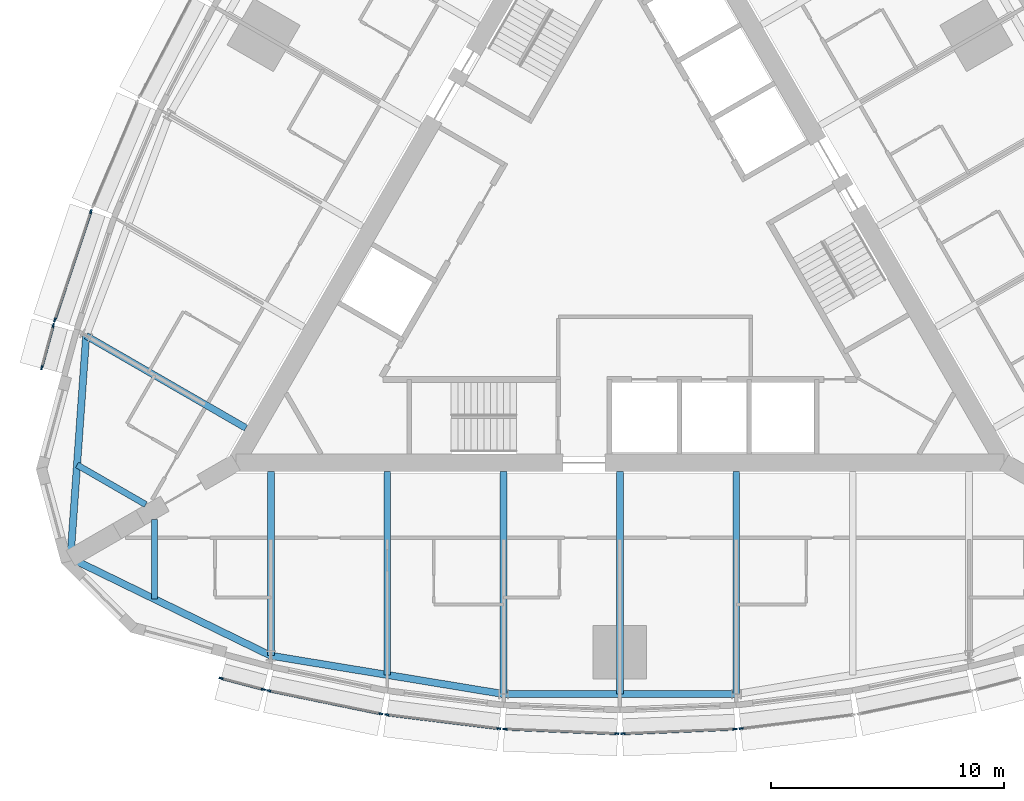
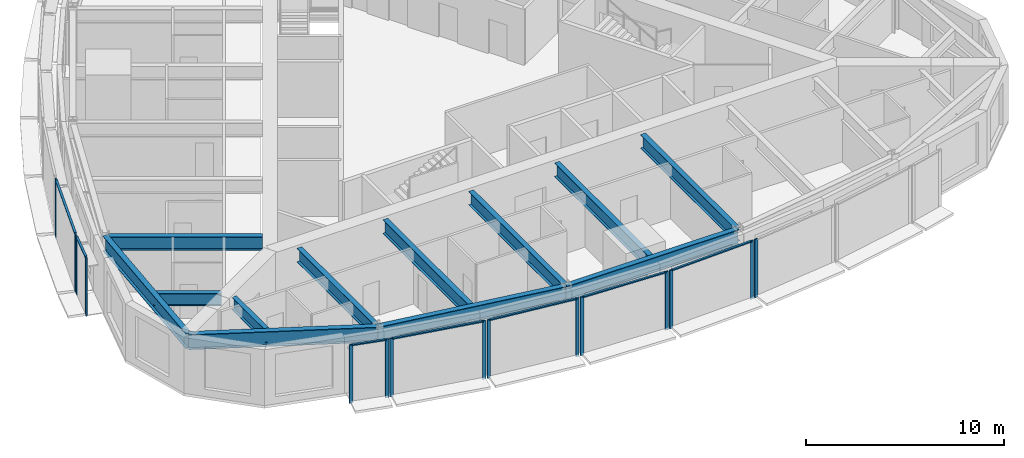
# One storey, part 2 of 15: 22 members, 12 beams, 8 elements without a shape of their own.
"""IFC4 building model written with IfcOpenShell, lengths in metres."""

from ifc_helpers import new_model, si_unit, direction, frame, origin, origin_2d, place, context, subcontext, project, spatial, rectangle, i_section, extrude, material, material_profile, profile_set, type_object, element, aggregate, save


model = new_model("IFC4")

# Units and contexts
model_context = context("Model", 3, precision=1e-05, world=origin(), true_north=direction((0.0, 1.0)))
body_context = subcontext(model_context, "Body", "Model", "MODEL_VIEW")
ifc_project = project(units=[si_unit("LENGTHUNIT", "METRE"), si_unit("AREAUNIT", "SQUARE_METRE"), si_unit("VOLUMEUNIT", "CUBIC_METRE"), si_unit("PLANEANGLEUNIT", "RADIAN"), si_unit("MASSUNIT", "GRAM", prefix="KILO")], contexts=[model_context])

# Site, building, storey
site_placement = place(None, origin())
site = spatial("IfcSite", under=ifc_project, at=site_placement, CompositionType="ELEMENT")
building_placement = place(site_placement, origin())
building = spatial("IfcBuilding", under=site, at=building_placement, Name="Trikona Tower", CompositionType="ELEMENT")
storey_placement = place(building_placement, frame((0.0, 0.0, 204.5)))
storey = spatial("IfcBuildingStorey", under=building, at=storey_placement, Name="L54", CompositionType="ELEMENT", Elevation=204.5)

# Curtain wall, members
ifc_material_1 = material(Name="Aluminium curtain wall system", Category="aluminium")
curtain_wall_type = type_object("IfcCurtainWallType", Name="Curtain wall DS3", PredefinedType="NOTDEFINED", material=ifc_material_1)
curtain_wall_1_placement = place(storey_placement, origin())
curtain_wall_1 = element("IfcCurtainWall", 1, at=curtain_wall_1_placement, inside=storey, type_object=curtain_wall_type, Name="Curtain wall DS3 L54", PredefinedType="NOTDEFINED")
ifc_material_2 = material(Name="Aluminium mullion, pale anodised", Category="aluminium")
ifc_material_profile_1 = material_profile(ifc_material_2, rectangle(XDim=0.070068359375, YDim=0.179931640625, at=origin_2d()), Name="MUL-DS3")
ifc_profile_set_1 = profile_set([ifc_material_profile_1], Name="Aluminium mullion, pale anodised")
member_type_1 = type_object("IfcMemberType", Name="Mullion DS3 70x180", PredefinedType="MULLION", material=ifc_profile_set_1)
member_1_placement = place(storey_placement, frame((-17.137451171875, -18.79248046875, 0.0), z_axis=(0.0, 0.0, 1.0), x_axis=(0.25478635579, 0.966997369647, 0.0)))
member_1 = element("IfcMember", 2, at=member_1_placement, type_object=member_type_1, Name="CW-DS3 mullion 1", PredefinedType="MULLION", context=body_context, shape_type="SweptSolid", body=[
    extrude(rectangle(XDim=0.070068359375, YDim=0.179931640625, at=origin_2d()), origin(), (0.0, 0.0, 1.0), 3.60009765625),
])
member_2_placement = place(storey_placement, frame((-15.321044921875, -19.27099609375, 0.0), z_axis=(0.0, 0.0, 1.0), x_axis=(0.25478635579, 0.966997369647, 0.0)))
member_2 = element("IfcMember", 3, at=member_2_placement, type_object=member_type_1, Name="CW-DS3 mullion 2", PredefinedType="MULLION", context=body_context, shape_type="SweptSolid", body=[
    extrude(rectangle(XDim=0.070068359375, YDim=0.179931640625, at=origin_2d()), origin(), (0.0, 0.0, 1.0), 3.60009765625),
])

curtain_wall_2_placement = place(storey_placement, origin())
curtain_wall_2 = element("IfcCurtainWall", 4, at=curtain_wall_2_placement, inside=storey, type_object=curtain_wall_type, Name="Curtain wall DS3 L54", PredefinedType="NOTDEFINED")
member_3_placement = place(storey_placement, frame((-15.08837890625, -19.325439453125, 0.0), z_axis=(0.0, 0.0, 1.0), x_axis=(0.201652920672, 0.979457043256, 0.0)))
member_3 = element("IfcMember", 5, at=member_3_placement, type_object=member_type_1, Name="CW-DS3 mullion 1", PredefinedType="MULLION", context=body_context, shape_type="SweptSolid", body=[
    extrude(rectangle(XDim=0.070068359375, YDim=0.179931640625, at=origin_2d()), origin(), (0.0, 0.0, 1.0), 3.60009765625),
])
member_4_placement = place(storey_placement, frame((-10.274658203125, -20.316650390625, 0.0), z_axis=(0.0, 0.0, 1.0), x_axis=(0.201652920672, 0.979457043256, 0.0)))
member_4 = element("IfcMember", 6, at=member_4_placement, type_object=member_type_1, Name="CW-DS3 mullion 2", PredefinedType="MULLION", context=body_context, shape_type="SweptSolid", body=[
    extrude(rectangle(XDim=0.070068359375, YDim=0.179931640625, at=origin_2d()), origin(), (0.0, 0.0, 1.0), 3.60009765625),
])

curtain_wall_3_placement = place(storey_placement, origin())
curtain_wall_3 = element("IfcCurtainWall", 7, at=curtain_wall_3_placement, inside=storey, type_object=curtain_wall_type, Name="Curtain wall DS3 L54", PredefinedType="NOTDEFINED")
member_5_placement = place(storey_placement, frame((-10.01611328125, -20.359130859375, 0.0), z_axis=(0.0, 0.0, 1.0), x_axis=(0.122610640458, 0.992454850785, 0.0)))
member_5 = element("IfcMember", 8, at=member_5_placement, type_object=member_type_1, Name="CW-DS3 mullion 1", PredefinedType="MULLION", context=body_context, shape_type="SweptSolid", body=[
    extrude(rectangle(XDim=0.070068359375, YDim=0.179931640625, at=origin_2d()), origin(), (0.0, 0.0, 1.0), 3.60009765625),
])
member_6_placement = place(storey_placement, frame((-5.20458984375, -20.95361328125, 0.0), z_axis=(0.0, 0.0, 1.0), x_axis=(0.122610640458, 0.992454850785, 0.0)))
member_6 = element("IfcMember", 9, at=member_6_placement, type_object=member_type_1, Name="CW-DS3 mullion 2", PredefinedType="MULLION", context=body_context, shape_type="SweptSolid", body=[
    extrude(rectangle(XDim=0.070068359375, YDim=0.179931640625, at=origin_2d()), origin(), (0.0, 0.0, 1.0), 3.60009765625),
])

curtain_wall_4_placement = place(storey_placement, origin())
curtain_wall_4 = element("IfcCurtainWall", 10, at=curtain_wall_4_placement, inside=storey, type_object=curtain_wall_type, Name="Curtain wall DS3 L54", PredefinedType="NOTDEFINED")
member_7_placement = place(storey_placement, frame((-4.942138671875, -20.97509765625, 0.0), z_axis=(0.0, 0.0, 1.0), x_axis=(0.04115278907, 0.999152865157, 0.0)))
member_7 = element("IfcMember", 11, at=member_7_placement, type_object=member_type_1, Name="CW-DS3 mullion 1", PredefinedType="MULLION", context=body_context, shape_type="SweptSolid", body=[
    extrude(rectangle(XDim=0.070068359375, YDim=0.179931640625, at=origin_2d()), origin(), (0.0, 0.0, 1.0), 3.60009765625),
])
member_8_placement = place(storey_placement, frame((-0.132080078125, -21.17333984375, 0.0), z_axis=(0.0, 0.0, 1.0), x_axis=(0.04115278907, 0.999152865157, 0.0)))
member_8 = element("IfcMember", 12, at=member_8_placement, type_object=member_type_1, Name="CW-DS3 mullion 2", PredefinedType="MULLION", context=body_context, shape_type="SweptSolid", body=[
    extrude(rectangle(XDim=0.070068359375, YDim=0.179931640625, at=origin_2d()), origin(), (0.0, 0.0, 1.0), 3.60009765625),
])

curtain_wall_5_placement = place(storey_placement, origin())
curtain_wall_5 = element("IfcCurtainWall", 13, at=curtain_wall_5_placement, inside=storey, type_object=curtain_wall_type, Name="Curtain wall DS3 L54", PredefinedType="NOTDEFINED")
member_9_placement = place(storey_placement, frame((0.132080078125, -21.17333984375, 0.0), z_axis=(0.0, 0.0, 1.0), x_axis=(-0.04115278907, 0.999152865157, 0.0)))
member_9 = element("IfcMember", 14, at=member_9_placement, type_object=member_type_1, Name="CW-DS3 mullion 1", PredefinedType="MULLION", context=body_context, shape_type="SweptSolid", body=[
    extrude(rectangle(XDim=0.070068359375, YDim=0.179931640625, at=origin_2d()), origin(), (0.0, 0.0, 1.0), 3.60009765625),
])
member_10_placement = place(storey_placement, frame((4.942138671875, -20.97509765625, 0.0), z_axis=(0.0, 0.0, 1.0), x_axis=(-0.04115278907, 0.999152865157, 0.0)))
member_10 = element("IfcMember", 15, at=member_10_placement, type_object=member_type_1, Name="CW-DS3 mullion 2", PredefinedType="MULLION", context=body_context, shape_type="SweptSolid", body=[
    extrude(rectangle(XDim=0.070068359375, YDim=0.179931640625, at=origin_2d()), origin(), (0.0, 0.0, 1.0), 3.60009765625),
])

# Curtain wall, member
curtain_wall_6_placement = place(storey_placement, origin())
curtain_wall_6 = element("IfcCurtainWall", 16, at=curtain_wall_6_placement, inside=storey, type_object=curtain_wall_type, Name="Curtain wall DS3 L54", PredefinedType="NOTDEFINED")
member_11_placement = place(storey_placement, frame((5.20458984375, -20.95361328125, 0.0), z_axis=(0.0, 0.0, 1.0), x_axis=(-0.122610640458, 0.992454850785, 0.0)))
member_11 = element("IfcMember", 17, at=member_11_placement, type_object=member_type_1, Name="CW-DS3 mullion 1", PredefinedType="MULLION", context=body_context, shape_type="SweptSolid", body=[
    extrude(rectangle(XDim=0.070068359375, YDim=0.179931640625, at=origin_2d()), origin(), (0.0, 0.0, 1.0), 3.60009765625),
])
aggregate(curtain_wall_6, [member_11])

# Curtain wall, members
curtain_wall_7_placement = place(storey_placement, origin())
curtain_wall_7 = element("IfcCurtainWall", 18, at=curtain_wall_7_placement, inside=storey, type_object=curtain_wall_type, Name="Curtain wall DS3 L54", PredefinedType="NOTDEFINED")
member_12_placement = place(storey_placement, frame((-22.73193359375, 1.26025390625, 0.0), z_axis=(0.0, 0.0, 1.0), x_axis=(0.949065766708, -0.315078038687, 0.0)))
member_12 = element("IfcMember", 19, at=member_12_placement, type_object=member_type_1, Name="CW-DS3 mullion 1", PredefinedType="MULLION", context=body_context, shape_type="SweptSolid", body=[
    extrude(rectangle(XDim=0.070068359375, YDim=0.179931640625, at=origin_2d()), origin(), (0.0, 0.0, 1.0), 3.60009765625),
])
member_13_placement = place(storey_placement, frame((-24.280517578125, -3.404296875, 0.0), z_axis=(0.0, 0.0, 1.0), x_axis=(0.949065766708, -0.315078038687, 0.0)))
member_13 = element("IfcMember", 20, at=member_13_placement, type_object=member_type_1, Name="CW-DS3 mullion 2", PredefinedType="MULLION", context=body_context, shape_type="SweptSolid", body=[
    extrude(rectangle(XDim=0.070068359375, YDim=0.179931640625, at=origin_2d()), origin(), (0.0, 0.0, 1.0), 3.60009765625),
])

curtain_wall_8_placement = place(storey_placement, origin())
curtain_wall_8 = element("IfcCurtainWall", 21, at=curtain_wall_8_placement, inside=storey, type_object=curtain_wall_type, Name="Curtain wall DS3 L54", PredefinedType="NOTDEFINED")
member_14_placement = place(storey_placement, frame((-24.349609375, -3.633056640625, 0.0), z_axis=(0.0, 0.0, 1.0), x_axis=(0.964838403494, -0.262843784676, 0.0)))
member_14 = element("IfcMember", 22, at=member_14_placement, type_object=member_type_1, Name="CW-DS3 mullion 1", PredefinedType="MULLION", context=body_context, shape_type="SweptSolid", body=[
    extrude(rectangle(XDim=0.070068359375, YDim=0.179931640625, at=origin_2d()), origin(), (0.0, 0.0, 1.0), 3.60009765625),
])
member_15_placement = place(storey_placement, frame((-24.843505859375, -5.4453125, 0.0), z_axis=(0.0, 0.0, 1.0), x_axis=(0.964838403494, -0.262843784676, 0.0)))
member_15 = element("IfcMember", 23, at=member_15_placement, type_object=member_type_1, Name="CW-DS3 mullion 2", PredefinedType="MULLION", context=body_context, shape_type="SweptSolid", body=[
    extrude(rectangle(XDim=0.070068359375, YDim=0.179931640625, at=origin_2d()), origin(), (0.0, 0.0, 1.0), 3.60009765625),
])

# Beams
ifc_material_3 = material(Name="Steel ASTM A992 Grade 50", Category="steel")
ifc_material_profile_2 = material_profile(ifc_material_3, i_section(OverallWidth=0.2666015625, OverallDepth=0.76953125, WebThickness=0.015625, FlangeThickness=0.025390625, at=origin_2d()), Name="W30X132")
ifc_profile_set_2 = profile_set([ifc_material_profile_2], Name="Steel ASTM A992 Grade 50")
beam_type_1 = type_object("IfcBeamType", Name="Steel beam W30x132 (wedge)", PredefinedType="BEAM", material=ifc_profile_set_2)
beam_1_placement = place(storey_placement, frame((-20.0, -11.97998046875, 3.05029296875), z_axis=(0.0, -1.0, 0.0), x_axis=(1.0, 0.0, 0.0)))
element("IfcBeam", 24, at=beam_1_placement, inside=storey, type_object=beam_type_1, Name="Floor beam L55 F1 u-20", PredefinedType="BEAM", context=body_context, shape_type="SweptSolid", body=[
    extrude(i_section(OverallWidth=0.2666015625, OverallDepth=0.76953125, WebThickness=0.015625, FlangeThickness=0.025390625, at=origin_2d()), origin(), (0.0, 0.0, 1.0), 3.40966796875),
])
beam_2_placement = place(storey_placement, frame((-20.375, -11.33056640625, 3.05029296875), z_axis=(-0.865995995653, 0.500050932918, 0.0), x_axis=(-0.500050932918, -0.865995995653, 0.0)))
element("IfcBeam", 25, at=beam_2_placement, inside=storey, type_object=beam_type_1, Name="Floor beam L55 F3 u20", PredefinedType="BEAM", context=body_context, shape_type="SweptSolid", body=[
    extrude(i_section(OverallWidth=0.2666015625, OverallDepth=0.76953125, WebThickness=0.015625, FlangeThickness=0.025390625, at=origin_2d()), origin(), (0.0, 0.0, 1.0), 3.409912109375),
])
ifc_material_4 = material(Name="Steel ASTM A992 Grade 50", Category="steel")
ifc_material_profile_3 = material_profile(ifc_material_4, i_section(OverallWidth=0.2919921875, OverallDepth=0.845703125, WebThickness=0.015380859375, FlangeThickness=0.0244140625, at=origin_2d()), Name="W33X141")
ifc_profile_set_3 = profile_set([ifc_material_profile_3], Name="Steel ASTM A992 Grade 50")
beam_type_2 = type_object("IfcBeamType", Name="Steel beam W33x141 (radial typ)", PredefinedType="BEAM", material=ifc_profile_set_3)
beam_3_placement = place(storey_placement, frame((-15.0, -9.9013671875, 3.01220703125), z_axis=(0.0, -1.0, 0.0), x_axis=(1.0, 0.0, 0.0)))
element("IfcBeam", 26, at=beam_3_placement, inside=storey, type_object=beam_type_2, Name="Floor beam L55 F1 u-15", PredefinedType="BEAM", context=body_context, shape_type="SweptSolid", body=[
    extrude(i_section(OverallWidth=0.2919921875, OverallDepth=0.845703125, WebThickness=0.015380859375, FlangeThickness=0.0244140625, at=origin_2d()), origin(), (0.0, 0.0, 1.0), 7.923583984375),
])
beam_4_placement = place(storey_placement, frame((-10.0, -9.9013671875, 3.01220703125), z_axis=(0.0, -1.0, 0.0), x_axis=(1.0, 0.0, 0.0)))
element("IfcBeam", 27, at=beam_4_placement, inside=storey, type_object=beam_type_2, Name="Floor beam L55 F1 u-10", PredefinedType="BEAM", context=body_context, shape_type="SweptSolid", body=[
    extrude(i_section(OverallWidth=0.2919921875, OverallDepth=0.845703125, WebThickness=0.015380859375, FlangeThickness=0.0244140625, at=origin_2d()), origin(), (0.0, 0.0, 1.0), 8.7470703125),
])
for number, where, z_axis, x_axis, name in (
    (28, (-5.0, -9.9013671875, 3.01220703125), (0.0, -1.0, 0.0), (1.0, 0.0, 0.0), "Floor beam L55 F1 u-5"),
    (29, (0.0, -9.9013671875, 3.01220703125), (0.0, -1.0, 0.0), (1.0, 0.0, 0.0), "Floor beam L55 F1 u0"),
    (30, (5.0, -9.9013671875, 3.01220703125), (0.0, -1.0, 0.0), (1.0, 0.0, 0.0), "Floor beam L55 F1 u5"),
):
    element("IfcBeam", number, at=place(storey_placement, frame(where, z_axis=z_axis, x_axis=x_axis)), inside=storey, type_object=beam_type_2, Name=name, PredefinedType="BEAM", context=body_context, shape_type="SweptSolid", body=[
        extrude(i_section(OverallWidth=0.2919921875, OverallDepth=0.845703125, WebThickness=0.015380859375, FlangeThickness=0.0244140625, at=origin_2d()), origin(), (0.0, 0.0, 1.0), 9.570556640625),
    ])
beam_5_placement = place(storey_placement, frame((-16.07470703125, -8.039794921875, 3.01220703125), z_axis=(-0.866019853763, 0.500009612796, 0.0), x_axis=(-0.500009612796, -0.866019853763, 0.0)))
element("IfcBeam", 31, at=beam_5_placement, inside=storey, type_object=beam_type_2, Name="Floor beam L55 F3 u15", PredefinedType="BEAM", context=body_context, shape_type="SweptSolid", body=[
    extrude(i_section(OverallWidth=0.2919921875, OverallDepth=0.845703125, WebThickness=0.015380859375, FlangeThickness=0.0244140625, at=origin_2d()), origin(), (0.0, 0.0, 1.0), 7.923583984375),
])
ifc_material_5 = material(Name="Steel ASTM A992 Grade 50", Category="steel")
ifc_material_profile_4 = material_profile(ifc_material_5, i_section(OverallWidth=0.307373046875, OverallDepth=0.922119140625, WebThickness=0.018310546875, FlangeThickness=0.030029296875, at=origin_2d()), Name="W36X182")
ifc_profile_set_4 = profile_set([ifc_material_profile_4], Name="Steel ASTM A992 Grade 50")
beam_type_3 = type_object("IfcBeamType", Name="Steel beam W36x182 (spandrel mid)", PredefinedType="SPANDREL", material=ifc_profile_set_4)
beam_6_placement = place(storey_placement, frame((-23.6103515625, -13.63134765625, 2.97412109375), z_axis=(0.899038503257, -0.437869580652, 0.0), x_axis=(0.437869580652, 0.899038503257, 0.0)))
element("IfcBeam", 32, at=beam_6_placement, inside=storey, type_object=beam_type_3, Name="Spandrel beam L55 F1-1", PredefinedType="SPANDREL", context=body_context, shape_type="SweptSolid", body=[
    extrude(i_section(OverallWidth=0.307373046875, OverallDepth=0.922119140625, WebThickness=0.018310546875, FlangeThickness=0.030029296875, at=origin_2d()), origin(), (0.0, 0.0, 1.0), 9.577392578125),
])
beam_7_placement = place(storey_placement, frame((-15.0, -17.824951171875, 2.97412109375), z_axis=(0.986707228918, -0.162507982575, 0.0), x_axis=(0.162507982575, 0.986707228918, 0.0)))
element("IfcBeam", 33, at=beam_7_placement, inside=storey, type_object=beam_type_3, Name="Spandrel beam L55 F1-2", PredefinedType="SPANDREL", context=body_context, shape_type="SweptSolid", body=[
    extrude(i_section(OverallWidth=0.307373046875, OverallDepth=0.922119140625, WebThickness=0.018310546875, FlangeThickness=0.030029296875, at=origin_2d()), origin(), (0.0, 0.0, 1.0), 10.134765625),
])
beam_8_placement = place(storey_placement, frame((-5.0, -19.471923828125, 2.97412109375), z_axis=(1.0, 0.0, 0.0), x_axis=(0.0, 1.0, 0.0)))
element("IfcBeam", 34, at=beam_8_placement, inside=storey, type_object=beam_type_3, Name="Spandrel beam L55 F1-3", PredefinedType="SPANDREL", context=body_context, shape_type="SweptSolid", body=[
    extrude(i_section(OverallWidth=0.307373046875, OverallDepth=0.922119140625, WebThickness=0.018310546875, FlangeThickness=0.030029296875, at=origin_2d()), origin(), (0.0, 0.0, 1.0), 10.0),
])
beam_9_placement = place(storey_placement, frame((-22.936767578125, -4.077880859375, 2.97412109375), z_axis=(-0.07033215835, -0.997523627541, 0.0), x_axis=(0.997523627541, -0.07033215835, 0.0)))
element("IfcBeam", 35, at=beam_9_placement, inside=storey, type_object=beam_type_3, Name="Spandrel beam L55 F3-5", PredefinedType="SPANDREL", context=body_context, shape_type="SweptSolid", body=[
    extrude(i_section(OverallWidth=0.307373046875, OverallDepth=0.922119140625, WebThickness=0.018310546875, FlangeThickness=0.030029296875, at=origin_2d()), origin(), (0.0, 0.0, 1.0), 9.5771484375),
])

# Member
ifc_material_6 = material(Name="Aluminium transom, pale anodised", Category="aluminium")
ifc_material_profile_5 = material_profile(ifc_material_6, rectangle(XDim=0.1201171875, YDim=0.070068359375, at=origin_2d()), Name="TRN-DS3")
ifc_profile_set_5 = profile_set([ifc_material_profile_5], Name="Aluminium transom, pale anodised")
member_type_2 = type_object("IfcMemberType", Name="Transom DS3 70x120", PredefinedType="USERDEFINED", material=ifc_profile_set_5)
member_16_placement = place(storey_placement, frame((-17.103515625, -18.80126953125, 3.56494140625), z_axis=(0.966999290683, -0.254779064719, 0.0), x_axis=(0.254779064719, 0.966999290683, 0.0)))
member_16 = element("IfcMember", 36, at=member_16_placement, type_object=member_type_2, Name="CW-DS3 transom 1.1", ObjectType="TRANSOM", PredefinedType="USERDEFINED", context=body_context, shape_type="SweptSolid", body=[
    extrude(rectangle(XDim=0.1201171875, YDim=0.070068359375, at=origin_2d()), origin(), (0.0, 0.0, 1.0), 1.80810546875),
])

aggregate(curtain_wall_1, [member_1, member_2, member_16])

member_17_placement = place(storey_placement, frame((-15.05419921875, -19.33251953125, 3.56494140625), z_axis=(0.979454408611, -0.201665717099, 0.0), x_axis=(0.201665717099, 0.979454408611, 0.0)))
member_17 = element("IfcMember", 37, at=member_17_placement, type_object=member_type_2, Name="CW-DS3 transom 1.1", ObjectType="TRANSOM", PredefinedType="USERDEFINED", context=body_context, shape_type="SweptSolid", body=[
    extrude(rectangle(XDim=0.1201171875, YDim=0.070068359375, at=origin_2d()), origin(), (0.0, 0.0, 1.0), 4.844970703125),
])

aggregate(curtain_wall_2, [member_3, member_4, member_17])

member_18_placement = place(storey_placement, frame((-9.9814453125, -20.363525390625, 3.56494140625), z_axis=(0.992459172161, -0.122575656611, 0.0), x_axis=(0.122575656611, 0.992459172161, 0.0)))
member_18 = element("IfcMember", 38, at=member_18_placement, type_object=member_type_2, Name="CW-DS3 transom 1.1", ObjectType="TRANSOM", PredefinedType="USERDEFINED", context=body_context, shape_type="SweptSolid", body=[
    extrude(rectangle(XDim=0.1201171875, YDim=0.070068359375, at=origin_2d()), origin(), (0.0, 0.0, 1.0), 4.7783203125),
])

aggregate(curtain_wall_3, [member_5, member_6, member_18])

member_19_placement = place(storey_placement, frame((-4.9072265625, -20.9765625, 3.56494140625), z_axis=(0.99915223027, -0.04116820067, 0.0), x_axis=(0.04116820067, 0.99915223027, 0.0)))
member_19 = element("IfcMember", 39, at=member_19_placement, type_object=member_type_2, Name="CW-DS3 transom 1.1", ObjectType="TRANSOM", PredefinedType="USERDEFINED", context=body_context, shape_type="SweptSolid", body=[
    extrude(rectangle(XDim=0.1201171875, YDim=0.070068359375, at=origin_2d()), origin(), (0.0, 0.0, 1.0), 4.744140625),
])

aggregate(curtain_wall_4, [member_7, member_8, member_19])

member_20_placement = place(storey_placement, frame((0.1669921875, -21.171875, 3.56494140625), z_axis=(0.99915223027, 0.04116820067, 0.0), x_axis=(-0.04116820067, 0.99915223027, 0.0)))
member_20 = element("IfcMember", 40, at=member_20_placement, type_object=member_type_2, Name="CW-DS3 transom 1.1", ObjectType="TRANSOM", PredefinedType="USERDEFINED", context=body_context, shape_type="SweptSolid", body=[
    extrude(rectangle(XDim=0.1201171875, YDim=0.070068359375, at=origin_2d()), origin(), (0.0, 0.0, 1.0), 4.744140625),
])

aggregate(curtain_wall_5, [member_9, member_10, member_20])

member_21_placement = place(storey_placement, frame((-22.7431640625, 1.22705078125, 3.56494140625), z_axis=(-0.315063426034, -0.949070617802, 0.0), x_axis=(0.949070617802, -0.315063426034, 0.0)))
member_21 = element("IfcMember", 41, at=member_21_placement, type_object=member_type_2, Name="CW-DS3 transom 1.1", ObjectType="TRANSOM", PredefinedType="USERDEFINED", context=body_context, shape_type="SweptSolid", body=[
    extrude(rectangle(XDim=0.1201171875, YDim=0.070068359375, at=origin_2d()), origin(), (0.0, 0.0, 1.0), 4.8447265625),
])

aggregate(curtain_wall_7, [member_12, member_13, member_21])

member_22_placement = place(storey_placement, frame((-24.35888671875, -3.666748046875, 3.56494140625), z_axis=(-0.262843243155, -0.964838551017, 0.0), x_axis=(0.964838551017, -0.262843243155, 0.0)))
member_22 = element("IfcMember", 42, at=member_22_placement, type_object=member_type_2, Name="CW-DS3 transom 1.1", ObjectType="TRANSOM", PredefinedType="USERDEFINED", context=body_context, shape_type="SweptSolid", body=[
    extrude(rectangle(XDim=0.1201171875, YDim=0.070068359375, at=origin_2d()), origin(), (0.0, 0.0, 1.0), 1.808349609375),
])

aggregate(curtain_wall_8, [member_14, member_15, member_22])

save(model, "model.ifc")
